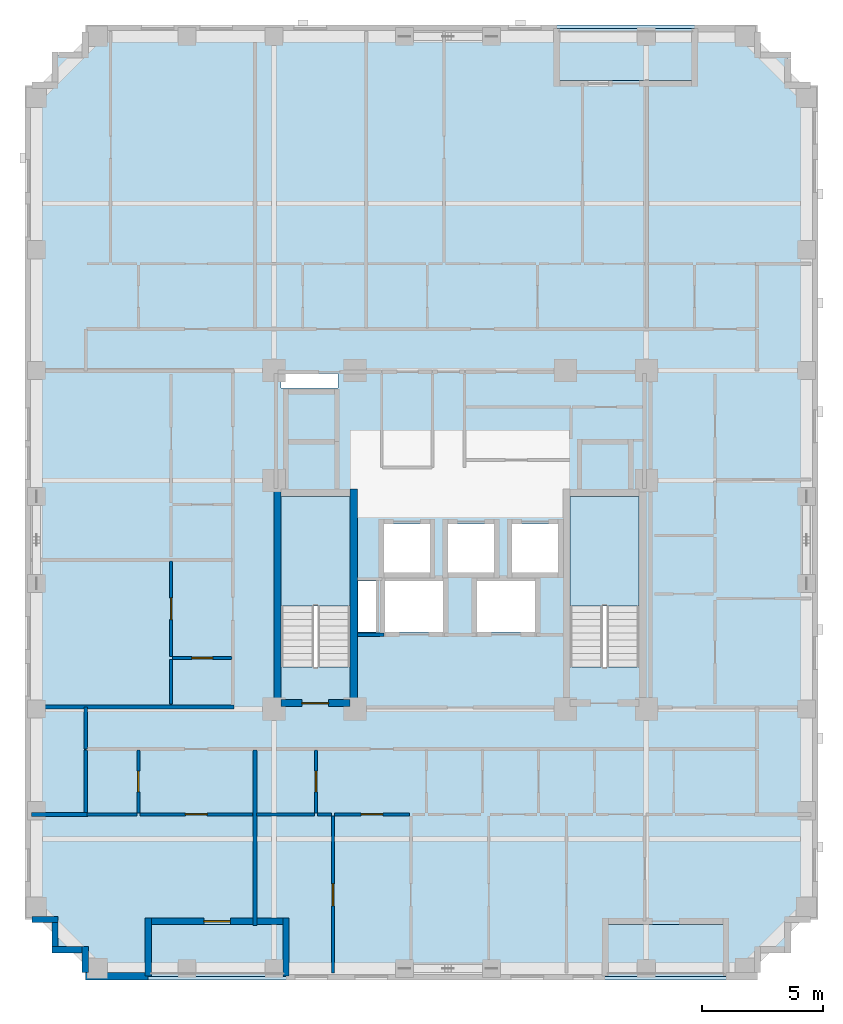
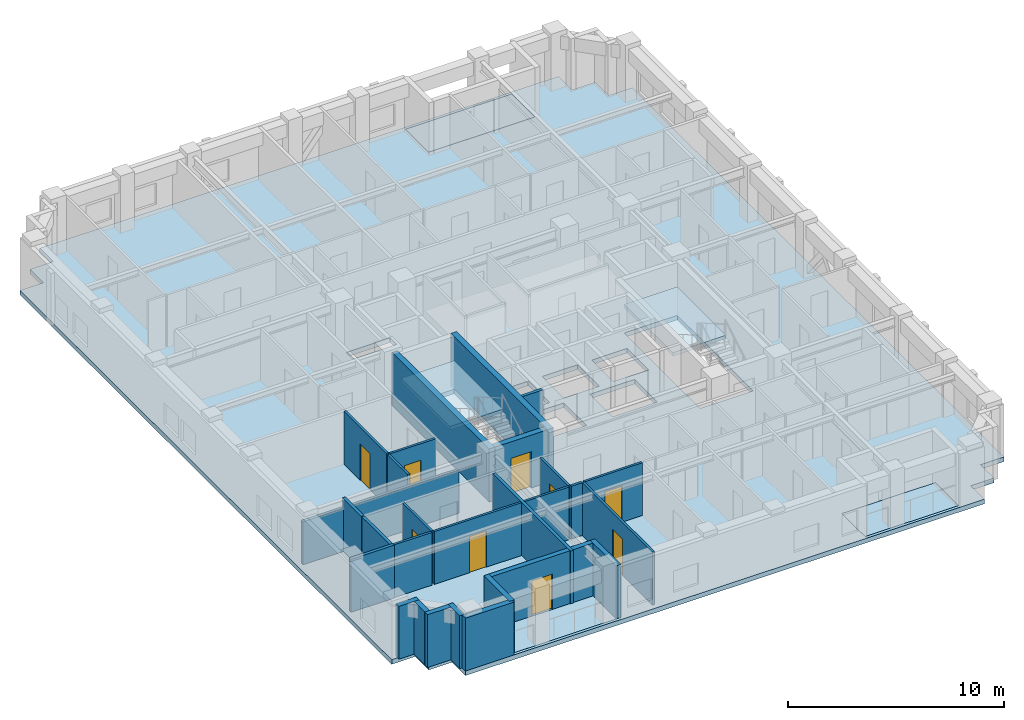
# One storey, part 2 of 11: 28 walls, 9 doors, 6 slabs, 9 openings, 2 elements without a shape of their own.
"""IFC4 building model written with IfcOpenShell, lengths in metres."""

from ifc_helpers import new_model, si_unit, derived_unit, direction, frame, frame_2d, origin, place, context, subcontext, project, spatial, polyline, rectangle, outline, extrude, material, layer, layer_set, type_object, element, fill, aggregate, save


model = new_model("IFC4")

# Units and contexts
model_context = context("Model", 3, precision=1e-05, world=origin(), true_north=direction((0.0, 1.0)))
body_context = subcontext(model_context, "Body", "Model", "MODEL_VIEW")
ifc_project = project(units=[si_unit("LENGTHUNIT", "METRE"), si_unit("AREAUNIT", "SQUARE_METRE"), si_unit("VOLUMEUNIT", "CUBIC_METRE"), si_unit("PLANEANGLEUNIT", "RADIAN"), si_unit("MASSUNIT", "GRAM", prefix="KILO"), derived_unit("THERMALTRANSMITTANCEUNIT", [(si_unit("MASSUNIT", "GRAM", prefix="KILO"), 1), (si_unit("TIMEUNIT", "SECOND"), -3), (si_unit("THERMODYNAMICTEMPERATUREUNIT", "KELVIN"), -1)])], contexts=[model_context])

# Site, building, storey
site_placement = place(None, origin())
site = spatial("IfcSite", under=ifc_project, at=site_placement, CompositionType="ELEMENT")
building_placement = place(site_placement, origin())
building = spatial("IfcBuilding", under=site, at=building_placement, Name="Korrvale Station Residences", CompositionType="ELEMENT")
storey_placement = place(building_placement, frame((0.0, 0.0, 140.64990234375)))
storey = spatial("IfcBuildingStorey", under=building, at=storey_placement, Name="L40", CompositionType="ELEMENT", Elevation=140.64990234375)

# Slabs
ifc_material_1 = material(Name="Concrete C50/60", Category="concrete")
ifc_layer_1 = layer(ifc_material_1, 0.219970703125, Name="Concrete C50/60")
ifc_layer_set_1 = layer_set([ifc_layer_1], Name="Concrete C50/60")
slab_type_1 = type_object("IfcSlabType", Name="SLB-BAL-220", PredefinedType="FLOOR", material=ifc_layer_set_1)
slab_1_placement = place(storey_placement, frame((0.0, 0.0, -0.219970703125)))
element("IfcSlab", 1, at=slab_1_placement, inside=storey, type_object=slab_type_1, Name="L40 Recessed Loggia Balcony Slab BAL-L40-S1", PredefinedType="FLOOR", context=body_context, shape_type="SweptSolid", body=[
    extrude(outline(polyline([(12.60009765625, 3.949951171875), (18.300048828125, 3.949951171875), (18.300048828125, 6.10009765625), (12.60009765625, 6.10009765625), (12.60009765625, 3.949951171875)])), origin(), (0.0, 0.0, 1.0), 0.219970703125),
])
slab_2_placement = place(storey_placement, frame((0.0, 0.0, -0.219970703125)))
element("IfcSlab", 2, at=slab_2_placement, inside=storey, type_object=slab_type_1, Name="L40 Recessed Loggia Balcony Slab BAL-L40-N1", PredefinedType="FLOOR", context=body_context, shape_type="SweptSolid", body=[
    extrude(outline(polyline([(29.5, 41.0), (35.199951171875, 41.0), (35.199951171875, 43.14990234375), (29.5, 43.14990234375), (29.5, 41.0)])), origin(), (0.0, 0.0, 1.0), 0.219970703125),
])
slab_3_placement = place(storey_placement, frame((0.0, 0.0, -0.219970703125)))
element("IfcSlab", 3, at=slab_3_placement, inside=storey, type_object=slab_type_1, Name="L40 Recessed Loggia Balcony Slab BAL-L40-S2", PredefinedType="FLOOR", context=body_context, shape_type="SweptSolid", body=[
    extrude(outline(polyline([(31.5, 3.949951171875), (36.5, 3.949951171875), (36.5, 6.10009765625), (31.5, 6.10009765625), (31.5, 3.949951171875)])), origin(), (0.0, 0.0, 1.0), 0.219970703125),
])
ifc_layer_2 = layer(ifc_material_1, 0.260009765625, Name="Concrete C50/60")
ifc_layer_set_2 = layer_set([ifc_layer_2], Name="Concrete C50/60")
slab_type_2 = type_object("IfcSlabType", Name="SLB-FLR-260", PredefinedType="FLOOR", material=ifc_layer_set_2)
slab_4_placement = place(storey_placement, frame((0.0, 0.0, -0.260009765625)))
element("IfcSlab", 4, at=slab_4_placement, inside=storey, type_object=slab_type_2, Name="L40 Suspended Structural Floor Slab", PredefinedType="FLOOR", context=body_context, shape_type="SweptSolid", body=[
    extrude(outline(polyline([(10.0, 3.800048828125), (37.800048828125, 3.800048828125), (37.800048828125, 5.050048828125), (39.050048828125, 5.050048828125), (39.050048828125, 6.300048828125), (40.300048828125, 6.300048828125), (40.300048828125, 40.800048828125), (39.050048828125, 40.800048828125), (39.050048828125, 42.050048828125), (37.800048828125, 42.050048828125), (37.800048828125, 43.300048828125), (10.0, 43.300048828125), (10.0, 42.050048828125), (8.75, 42.050048828125), (8.75, 40.800048828125), (7.5, 40.800048828125), (7.5, 6.300048828125), (8.75, 6.300048828125), (8.75, 5.050048828125), (10.0, 5.050048828125), (10.0, 3.800048828125)]), holes=[polyline([(20.949951171875, 16.751953125), (20.949951171875, 23.800048828125), (18.10009765625, 23.800048828125), (18.10009765625, 16.751953125), (20.949951171875, 16.751953125)]), polyline([(32.89990234375, 16.751953125), (32.89990234375, 23.800048828125), (30.050048828125, 23.800048828125), (30.050048828125, 16.751953125), (32.89990234375, 16.751953125)]), polyline([(22.35009765625, 20.64990234375), (24.25, 20.64990234375), (24.25, 22.64990234375), (22.35009765625, 22.64990234375), (22.35009765625, 20.64990234375)]), polyline([(25.0, 20.64990234375), (26.89990234375, 20.64990234375), (26.89990234375, 22.64990234375), (25.0, 22.64990234375), (25.0, 20.64990234375)]), polyline([(27.64990234375, 20.64990234375), (29.550048828125, 20.64990234375), (29.550048828125, 22.64990234375), (27.64990234375, 22.64990234375), (27.64990234375, 20.64990234375)]), polyline([(22.39990234375, 18.199951171875), (24.800048828125, 18.199951171875), (24.800048828125, 20.300048828125), (22.39990234375, 20.300048828125), (22.39990234375, 18.199951171875)]), polyline([(26.199951171875, 18.199951171875), (28.60009765625, 18.199951171875), (28.60009765625, 20.300048828125), (26.199951171875, 20.300048828125), (26.199951171875, 18.199951171875)]), polyline([(18.10009765625, 28.280029296875), (20.449951171875, 28.280029296875), (20.449951171875, 28.8798828125), (18.10009765625, 28.8798828125), (18.10009765625, 28.280029296875)]), polyline([(21.280029296875, 18.199951171875), (22.02001953125, 18.199951171875), (22.02001953125, 20.300048828125), (21.280029296875, 20.300048828125), (21.280029296875, 18.199951171875)]), polyline([(12.60009765625, 3.949951171875), (18.300048828125, 3.949951171875), (18.300048828125, 6.10009765625), (12.60009765625, 6.10009765625), (12.60009765625, 3.949951171875)]), polyline([(29.5, 41.0), (35.199951171875, 41.0), (35.199951171875, 43.14990234375), (29.5, 43.14990234375), (29.5, 41.0)]), polyline([(31.5, 3.949951171875), (36.5, 3.949951171875), (36.5, 6.10009765625), (31.5, 6.10009765625), (31.5, 3.949951171875)])]), origin(), (0.0, 0.0, 1.0), 0.260009765625),
])

# Stair, slab
stair_type = type_object("IfcStairType", Name="STR-DL-1350-20R-1625", PredefinedType="HALF_TURN_STAIR", material=ifc_material_1)
stair_1_placement = place(storey_placement, origin())
stair_1 = element("IfcStair", 5, at=stair_1_placement, inside=storey, type_object=stair_type, Name="L40 Exit Stair 1", PredefinedType="HALF_TURN_STAIR")
ifc_layer_3 = layer(ifc_material_1, 0.199951171875, Name="Concrete C50/60")
ifc_layer_set_3 = layer_set([ifc_layer_3], Name="Concrete C50/60")
slab_type_3 = type_object("IfcSlabType", Name="SLB-LND-200", PredefinedType="LANDING", material=ifc_layer_set_3)
slab_5_placement = place(storey_placement, frame((0.0, 0.0, 1.425048828125)))
slab_5 = element("IfcSlab", 6, at=slab_5_placement, type_object=slab_type_3, Name="ST-1 landing 1", PredefinedType="LANDING", context=body_context, shape_type="SweptSolid", body=[
    extrude(outline(polyline([(20.949951171875, 19.27001953125), (20.949951171875, 23.800048828125), (18.10009765625, 23.800048828125), (18.10009765625, 19.27001953125), (20.949951171875, 19.27001953125)])), origin(), (0.0, 0.0, 1.0), 0.199951171875),
])
aggregate(stair_1, [slab_5])

stair_2_placement = place(storey_placement, origin())
stair_2 = element("IfcStair", 7, at=stair_2_placement, inside=storey, type_object=stair_type, Name="L40 Exit Stair 2", PredefinedType="HALF_TURN_STAIR")
slab_6_placement = place(storey_placement, frame((0.0, 0.0, 1.425048828125)))
slab_6 = element("IfcSlab", 8, at=slab_6_placement, type_object=slab_type_3, Name="ST-2 landing 1", PredefinedType="LANDING", context=body_context, shape_type="SweptSolid", body=[
    extrude(outline(polyline([(32.89990234375, 19.27001953125), (32.89990234375, 23.800048828125), (30.050048828125, 23.800048828125), (30.050048828125, 19.27001953125), (32.89990234375, 19.27001953125)])), origin(), (0.0, 0.0, 1.0), 0.199951171875),
])
aggregate(stair_2, [slab_6])

# Walls
ifc_material_2 = material(Name="Concrete C60/75", Category="concrete")
ifc_layer_4 = layer(ifc_material_2, 0.300048828125, Name="Concrete C60/75")
ifc_layer_set_4 = layer_set([ifc_layer_4], Name="Concrete C60/75")
wall_type_1 = type_object("IfcWallType", Name="WAL-CORE-300-C60", PredefinedType="SHEAR", material=ifc_layer_set_4)
for number, where, z_axis, x_axis, name in (
    (9, (17.949951171875, 15.10009765625, 0.0), (0.0, 0.0, 1.0), (0.0, 1.0, 0.0), "L40 ST-1 Core Shear Wall West"),
    (10, (21.10009765625, 15.10009765625, 0.0), (0.0, 0.0, 1.0), (0.0, 1.0, 0.0), "L40 ST-1 Core Shear Wall East"),
):
    element("IfcWall", number, at=place(storey_placement, frame(where, z_axis=z_axis, x_axis=x_axis)), inside=storey, type_object=wall_type_1, Name=name, PredefinedType="SHEAR", context=body_context, shape_type="SweptSolid", body=[
        extrude(rectangle(XDim=9.0, YDim=0.300048828125, at=frame_2d((4.5, 0.0))), origin(), (0.0, 0.0, 1.0), 2.989990234375),
    ])

# Wall, opening, door
wall_1_placement = place(storey_placement, frame((18.10009765625, 15.25, 0.0), z_axis=(0.0, 0.0, 1.0), x_axis=(1.0, 0.0, 0.0)))
wall_1 = element("IfcWall", 11, at=wall_1_placement, inside=storey, type_object=wall_type_1, Name="L40 ST-1 Core Shear Wall South", PredefinedType="SHEAR", context=body_context, shape_type="SweptSolid", body=[
    extrude(rectangle(XDim=2.849853515625, YDim=0.300048828125, at=frame_2d((1.4248046875, 0.0))), origin(), (0.0, 0.0, 1.0), 2.989990234375),
])
opening_1_placement = place(wall_1_placement, frame((0.860107421875, 0.0, 0.0)))
opening_1 = element("IfcOpeningElement", 12, at=opening_1_placement, cuts=wall_1, Name="Opening SD-1100", PredefinedType="OPENING", context=body_context, shape_type="SweptSolid", body=[
    extrude(rectangle(XDim=1.10009765625, YDim=2.050048828125, at=frame_2d((0.550048828125, 1.02490234375))), frame((0.0, 0.16015625, 0.0), z_axis=(0.0, -1.0, 0.0), x_axis=(1.0, 0.0, 0.0)), (0.0, 0.0, 1.0), 0.320068359375),
])
ifc_material_3 = material(Name="Hollow-metal fire-rated stair door with closer", Category="steel")
door_type_1 = type_object("IfcDoorType", Name="DR-STAIR-1100", OperationType="NOTDEFINED", PredefinedType="DOOR", material=ifc_material_3)
door_1_placement = place(opening_1_placement, origin())
door_1 = element("IfcDoor", 13, at=door_1_placement, inside=storey, type_object=door_type_1, Name="L40 ST-1 Exit Stair Door", OperationType="SINGLE_SWING_LEFT", OverallHeight=2.050048828125, OverallWidth=1.10009765625, PredefinedType="DOOR", context=body_context, shape_type="SweptSolid", body=[
    extrude(rectangle(XDim=1.10009765625, YDim=2.050048828125, at=frame_2d((0.550048828125, 1.02490234375))), frame((0.0, 0.02490234375, 0.0), z_axis=(0.0, -1.0, 0.0), x_axis=(1.0, 0.0, 0.0)), (0.0, 0.0, 1.0), 0.050048828125),
])
fill(opening_1, door_1)

# Wall
ifc_material_4 = material(Name="Precast concrete C45/55", Category="concrete")
ifc_layer_5 = layer(ifc_material_4, 0.260009765625, Name="Precast concrete C45/55")
ifc_layer_set_5 = layer_set([ifc_layer_5], Name="Precast concrete C45/55")
wall_type_2 = type_object("IfcWallType", Name="WAL-EXT-LOG260", PredefinedType="SOLIDWALL", material=ifc_layer_set_5)
wall_2_placement = place(storey_placement, frame((18.300048828125, 3.9599609375, 0.0), z_axis=(0.0, 0.0, 1.0), x_axis=(0.0, 1.0, 0.0)))
element("IfcWall", 14, at=wall_2_placement, inside=storey, type_object=wall_type_2, Name="L40 Recessed Loggia Wall BAL-L40-S1-L", PredefinedType="SOLIDWALL", context=body_context, shape_type="SweptSolid", body=[
    extrude(rectangle(XDim=2.400146484375, YDim=0.260009765625, at=frame_2d((1.2001953125, 0.0))), origin(), (0.0, 0.0, 1.0), 2.989990234375),
])

# Wall, opening, door
wall_3_placement = place(storey_placement, frame((18.166015625, 6.22998046875, 0.0), z_axis=(0.0, 0.0, 1.0), x_axis=(-1.0, 0.0, 0.0)))
wall_3 = element("IfcWall", 15, at=wall_3_placement, inside=storey, type_object=wall_type_2, Name="L40 Recessed Loggia Wall BAL-L40-S1-B", PredefinedType="SOLIDWALL", context=body_context, shape_type="SweptSolid", body=[
    extrude(rectangle(XDim=5.43212890625, YDim=0.260009765625, at=frame_2d((2.716064453125, 0.0))), origin(), (0.0, 0.0, 1.0), 2.989990234375),
])
opening_2_placement = place(wall_3_placement, frame((2.166015625, 0.0, 0.0)))
opening_2 = element("IfcOpeningElement", 16, at=opening_2_placement, cuts=wall_3, Name="Opening BD-01", PredefinedType="OPENING", context=body_context, shape_type="SweptSolid", body=[
    extrude(rectangle(XDim=1.10009765625, YDim=2.0, at=frame_2d((0.550048828125, 1.0))), frame((0.0, 0.14013671875, 0.0), z_axis=(0.0, -1.0, 0.0), x_axis=(1.0, 0.0, 0.0)), (0.0, 0.0, 1.0), 0.280029296875),
])
ifc_material_5 = material(Name="Exterior thermally broken aluminium glazed balcony door", Category="aluminium")
door_type_2 = type_object("IfcDoorType", Name="DR-EXT-BAL", OperationType="NOTDEFINED", PredefinedType="DOOR", material=ifc_material_5)
door_2_placement = place(opening_2_placement, origin())
door_2 = element("IfcDoor", 17, at=door_2_placement, inside=storey, type_object=door_type_2, Name="L40 Loggia Balcony Door BAL-L40-S1", OperationType="SINGLE_SWING_LEFT", OverallHeight=2.0, OverallWidth=1.10009765625, PredefinedType="DOOR", context=body_context, shape_type="SweptSolid", body=[
    extrude(rectangle(XDim=1.10009765625, YDim=2.0, at=frame_2d((0.550048828125, 1.0))), frame((0.0, 0.02490234375, 0.0), z_axis=(0.0, -1.0, 0.0), x_axis=(1.0, 0.0, 0.0)), (0.0, 0.0, 1.0), 0.050048828125),
])
fill(opening_2, door_2)

# Walls
wall_4_placement = place(storey_placement, frame((12.60009765625, 6.360107421875, 0.0), z_axis=(0.0, 0.0, 1.0), x_axis=(0.0, -1.0, 0.0)))
element("IfcWall", 18, at=wall_4_placement, inside=storey, type_object=wall_type_2, Name="L40 Recessed Loggia Wall BAL-L40-S1-R", PredefinedType="SOLIDWALL", context=body_context, shape_type="SweptSolid", body=[
    extrude(rectangle(XDim=2.400146484375, YDim=0.260009765625, at=frame_2d((1.2001953125, 0.0))), origin(), (0.0, 0.0, 1.0), 2.989990234375),
])
wall_5_placement = place(storey_placement, frame((10.0, 4.10205078125, 0.0), z_axis=(0.0, 0.0, 1.0), x_axis=(0.0, 1.0, 0.0)))
element("IfcWall", 19, at=wall_5_placement, inside=storey, type_object=wall_type_2, Name="L40 Serrated Corner Precast Step SW-1", PredefinedType="SOLIDWALL", context=body_context, shape_type="SweptSolid", body=[
    extrude(rectangle(XDim=1.077880859375, YDim=0.260009765625, at=frame_2d((0.5390625, 0.0))), origin(), (0.0, 0.0, 1.0), 2.989990234375),
])
wall_6_placement = place(storey_placement, frame((9.867919921875, 5.050048828125, 0.0), z_axis=(0.0, 0.0, 1.0), x_axis=(-1.0, 0.0, 0.0)))
element("IfcWall", 20, at=wall_6_placement, inside=storey, type_object=wall_type_2, Name="L40 Serrated Corner Precast Step SW-2", PredefinedType="SOLIDWALL", context=body_context, shape_type="SweptSolid", body=[
    extrude(rectangle(XDim=1.247802734375, YDim=0.260009765625, at=frame_2d((0.6240234375, 0.0))), origin(), (0.0, 0.0, 1.0), 2.989990234375),
])
wall_7_placement = place(storey_placement, frame((8.75, 5.181884765625, 0.0), z_axis=(0.0, 0.0, 1.0), x_axis=(0.0, 1.0, 0.0)))
element("IfcWall", 21, at=wall_7_placement, inside=storey, type_object=wall_type_2, Name="L40 Serrated Corner Precast Step SW-3", PredefinedType="SOLIDWALL", context=body_context, shape_type="SweptSolid", body=[
    extrude(rectangle(XDim=0.986083984375, YDim=0.260009765625, at=frame_2d((0.4931640625, 0.0))), origin(), (0.0, 0.0, 1.0), 2.989990234375),
])
wall_8_placement = place(storey_placement, frame((8.8798828125, 6.300048828125, 0.0), z_axis=(0.0, 0.0, 1.0), x_axis=(-1.0, 0.0, 0.0)))
element("IfcWall", 22, at=wall_8_placement, inside=storey, type_object=wall_type_2, Name="L40 Serrated Corner Precast Step SW-4", PredefinedType="SOLIDWALL", context=body_context, shape_type="SweptSolid", body=[
    extrude(rectangle(XDim=1.077880859375, YDim=0.260009765625, at=frame_2d((0.5390625, 0.0))), origin(), (0.0, 0.0, 1.0), 2.989990234375),
])
ifc_layer_6 = layer(ifc_material_4, 0.300048828125, Name="Precast concrete C45/55")
ifc_layer_set_6 = layer_set([ifc_layer_6], Name="Precast concrete C45/55")
wall_type_3 = type_object("IfcWallType", Name="WAL-EXT-PC300", PredefinedType="SOLIDWALL", material=ifc_layer_set_6)
wall_9_placement = place(storey_placement, frame((12.60009765625, 3.949951171875, 0.0), z_axis=(0.0, 0.0, 1.0), x_axis=(-1.0, 0.0, 0.0)))
element("IfcWall", 23, at=wall_9_placement, inside=storey, type_object=wall_type_3, Name="L40 South Exterior Precast Wall 3", PredefinedType="SOLIDWALL", context=body_context, shape_type="SweptSolid", body=[
    extrude(rectangle(XDim=2.60009765625, YDim=0.300048828125, at=frame_2d((1.300048828125, 0.0))), origin(), (0.0, 0.0, 1.0), 2.989990234375),
])

# Wall, opening, door
ifc_material_6 = material(Name="Acoustic steel-stud gypsum board partition", Category="steel")
ifc_layer_7 = layer(ifc_material_6, 0.1201171875, Name="Acoustic steel-stud gypsum board partition")
ifc_layer_set_7 = layer_set([ifc_layer_7], Name="Acoustic steel-stud gypsum board partition")
wall_type_4 = type_object("IfcWallType", Name="WAL-PART-125", PredefinedType="PARTITIONING", material=ifc_layer_set_7)
wall_10_placement = place(storey_placement, frame((12.193115234375, 10.7099609375, 0.0), z_axis=(0.0, 0.0, 1.0), x_axis=(0.0, 1.0, 0.0)))
wall_10 = element("IfcWall", 24, at=wall_10_placement, inside=storey, type_object=wall_type_4, Name="L40 Suite Partition U01-V01", PredefinedType="PARTITIONING", context=body_context, shape_type="SweptSolid", body=[
    extrude(rectangle(XDim=2.60009765625, YDim=0.1201171875, at=frame_2d((1.300048828125, 0.0))), origin(), (0.0, 0.0, 1.0), 2.989990234375),
])
opening_3_placement = place(wall_10_placement, frame((0.8701171875, 0.0, 0.0)))
opening_3 = element("IfcOpeningElement", 25, at=opening_3_placement, cuts=wall_10, Name="Opening DB-860", PredefinedType="OPENING", context=body_context, shape_type="SweptSolid", body=[
    extrude(rectangle(XDim=0.860107421875, YDim=2.050048828125, at=frame_2d((0.43017578125, 1.02490234375))), frame((0.0, 0.070068359375, 0.0), z_axis=(0.0, -1.0, 0.0), x_axis=(1.0, 0.0, 0.0)), (0.0, 0.0, 1.0), 0.14013671875),
])
ifc_material_7 = material(Name="Moisture-resistant solid-core bathroom door", Category="timber")
door_type_3 = type_object("IfcDoorType", Name="DR-BATH-860", OperationType="NOTDEFINED", PredefinedType="DOOR", material=ifc_material_7)
door_3_placement = place(opening_3_placement, origin())
door_3 = element("IfcDoor", 26, at=door_3_placement, inside=storey, type_object=door_type_3, Name="L40 Studio Apartment L40-U01 Bathroom Door", OperationType="SINGLE_SWING_RIGHT", OverallHeight=2.050048828125, OverallWidth=0.860107421875, PredefinedType="DOOR", context=body_context, shape_type="SweptSolid", body=[
    extrude(rectangle(XDim=0.860107421875, YDim=2.050048828125, at=frame_2d((0.43017578125, 1.02490234375))), frame((0.0, 0.02490234375, 0.0), z_axis=(0.0, -1.0, 0.0), x_axis=(1.0, 0.0, 0.0)), (0.0, 0.0, 1.0), 0.050048828125),
])
fill(opening_3, door_3)

# Wall
wall_11_placement = place(storey_placement, frame((10.080078125, 10.64990234375, 0.0), z_axis=(0.0, 0.0, 1.0), x_axis=(1.0, 0.0, 0.0)))
element("IfcWall", 27, at=wall_11_placement, inside=storey, type_object=wall_type_4, Name="L40 Suite Partition U01-H02", PredefinedType="PARTITIONING", context=body_context, shape_type="SweptSolid", body=[
    extrude(rectangle(XDim=2.052978515625, YDim=0.1201171875, at=frame_2d((1.0263671875, 0.0))), origin(), (0.0, 0.0, 1.0), 2.989990234375),
])

# Wall, opening, door
wall_12_placement = place(storey_placement, frame((12.2529296875, 10.64990234375, 0.0), z_axis=(0.0, 0.0, 1.0), x_axis=(1.0, 0.0, 0.0)))
wall_12 = element("IfcWall", 28, at=wall_12_placement, inside=storey, type_object=wall_type_4, Name="L40 Suite Partition U01-H12", PredefinedType="PARTITIONING", context=body_context, shape_type="SweptSolid", body=[
    extrude(rectangle(XDim=4.671142578125, YDim=0.1201171875, at=frame_2d((2.33544921875, 0.0))), origin(), (0.0, 0.0, 1.0), 2.989990234375),
])
opening_4_placement = place(wall_12_placement, frame((1.885009765625, 0.0, 0.0)))
opening_4 = element("IfcOpeningElement", 29, at=opening_4_placement, cuts=wall_12, Name="Opening DI-900", PredefinedType="OPENING", context=body_context, shape_type="SweptSolid", body=[
    extrude(rectangle(XDim=0.89990234375, YDim=2.050048828125, at=frame_2d((0.449951171875, 1.02490234375))), frame((0.0, 0.070068359375, 0.0), z_axis=(0.0, -1.0, 0.0), x_axis=(1.0, 0.0, 0.0)), (0.0, 0.0, 1.0), 0.14013671875),
])
ifc_material_8 = material(Name="Painted solid-core timber interior room door", Category="wood")
door_type_4 = type_object("IfcDoorType", Name="DR-INT-900", OperationType="NOTDEFINED", PredefinedType="DOOR", material=ifc_material_8)
door_4_placement = place(opening_4_placement, origin())
door_4 = element("IfcDoor", 30, at=door_4_placement, inside=storey, type_object=door_type_4, Name="L40 Studio Apartment L40-U01 Kitchen Door", OperationType="SINGLE_SWING_LEFT", OverallHeight=2.050048828125, OverallWidth=0.89990234375, PredefinedType="DOOR", context=body_context, shape_type="SweptSolid", body=[
    extrude(rectangle(XDim=0.89990234375, YDim=2.050048828125, at=frame_2d((0.449951171875, 1.02490234375))), frame((0.0, 0.02490234375, 0.0), z_axis=(0.0, -1.0, 0.0), x_axis=(1.0, 0.0, 0.0)), (0.0, 0.0, 1.0), 0.050048828125),
])
fill(opening_4, door_4)

wall_13_placement = place(storey_placement, frame((19.5439453125, 10.7099609375, 0.0), z_axis=(0.0, 0.0, 1.0), x_axis=(0.0, 1.0, 0.0)))
wall_13 = element("IfcWall", 31, at=wall_13_placement, inside=storey, type_object=wall_type_4, Name="L40 Suite Partition U02-V01", PredefinedType="PARTITIONING", context=body_context, shape_type="SweptSolid", body=[
    extrude(rectangle(XDim=2.60009765625, YDim=0.1201171875, at=frame_2d((1.300048828125, 0.0))), origin(), (0.0, 0.0, 1.0), 2.989990234375),
])
opening_5_placement = place(wall_13_placement, frame((0.8701171875, 0.0, 0.0)))
opening_5 = element("IfcOpeningElement", 32, at=opening_5_placement, cuts=wall_13, Name="Opening DB-860", PredefinedType="OPENING", context=body_context, shape_type="SweptSolid", body=[
    extrude(rectangle(XDim=0.860107421875, YDim=2.050048828125, at=frame_2d((0.43017578125, 1.02490234375))), frame((0.0, 0.070068359375, 0.0), z_axis=(0.0, -1.0, 0.0), x_axis=(1.0, 0.0, 0.0)), (0.0, 0.0, 1.0), 0.14013671875),
])
door_5_placement = place(opening_5_placement, origin())
door_5 = element("IfcDoor", 33, at=door_5_placement, inside=storey, type_object=door_type_3, Name="L40 Studio Apartment L40-U02 Bathroom Door", OperationType="SINGLE_SWING_RIGHT", OverallHeight=2.050048828125, OverallWidth=0.860107421875, PredefinedType="DOOR", context=body_context, shape_type="SweptSolid", body=[
    extrude(rectangle(XDim=0.860107421875, YDim=2.050048828125, at=frame_2d((0.43017578125, 1.02490234375))), frame((0.0, 0.02490234375, 0.0), z_axis=(0.0, -1.0, 0.0), x_axis=(1.0, 0.0, 0.0)), (0.0, 0.0, 1.0), 0.050048828125),
])
fill(opening_5, door_5)

# Walls
wall_14_placement = place(storey_placement, frame((17.083984375, 10.64990234375, 0.0), z_axis=(0.0, 0.0, 1.0), x_axis=(1.0, 0.0, 0.0)))
element("IfcWall", 34, at=wall_14_placement, inside=storey, type_object=wall_type_4, Name="L40 Suite Partition U02-H07", PredefinedType="PARTITIONING", context=body_context, shape_type="SweptSolid", body=[
    extrude(rectangle(XDim=2.39990234375, YDim=0.1201171875, at=frame_2d((1.199951171875, 0.0))), origin(), (0.0, 0.0, 1.0), 2.989990234375),
])
wall_15_placement = place(storey_placement, frame((19.60400390625, 10.64990234375, 0.0), z_axis=(0.0, 0.0, 1.0), x_axis=(1.0, 0.0, 0.0)))
element("IfcWall", 35, at=wall_15_placement, inside=storey, type_object=wall_type_4, Name="L40 Suite Partition U02-H17", PredefinedType="PARTITIONING", context=body_context, shape_type="SweptSolid", body=[
    extrude(rectangle(XDim=0.580078125, YDim=0.1201171875, at=frame_2d((0.2900390625, 0.0))), origin(), (0.0, 0.0, 1.0), 2.989990234375),
])

# Wall, opening, door
wall_16_placement = place(storey_placement, frame((20.303955078125, 10.64990234375, 0.0), z_axis=(0.0, 0.0, 1.0), x_axis=(1.0, 0.0, 0.0)))
wall_16 = element("IfcWall", 36, at=wall_16_placement, inside=storey, type_object=wall_type_4, Name="L40 Suite Partition U02-H18", PredefinedType="PARTITIONING", context=body_context, shape_type="SweptSolid", body=[
    extrude(rectangle(XDim=3.10009765625, YDim=0.1201171875, at=frame_2d((1.550048828125, 0.0))), origin(), (0.0, 0.0, 1.0), 2.989990234375),
])
opening_6_placement = place(wall_16_placement, frame((1.10009765625, 0.0, 0.0)))
opening_6 = element("IfcOpeningElement", 37, at=opening_6_placement, cuts=wall_16, Name="Opening DI-900", PredefinedType="OPENING", context=body_context, shape_type="SweptSolid", body=[
    extrude(rectangle(XDim=0.89990234375, YDim=2.050048828125, at=frame_2d((0.449951171875, 1.02490234375))), frame((0.0, 0.070068359375, 0.0), z_axis=(0.0, -1.0, 0.0), x_axis=(1.0, 0.0, 0.0)), (0.0, 0.0, 1.0), 0.14013671875),
])
door_6_placement = place(opening_6_placement, origin())
door_6 = element("IfcDoor", 38, at=door_6_placement, inside=storey, type_object=door_type_4, Name="L40 Studio Apartment L40-U02 Kitchen Door", OperationType="SINGLE_SWING_RIGHT", OverallHeight=2.050048828125, OverallWidth=0.89990234375, PredefinedType="DOOR", context=body_context, shape_type="SweptSolid", body=[
    extrude(rectangle(XDim=0.89990234375, YDim=2.050048828125, at=frame_2d((0.449951171875, 1.02490234375))), frame((0.0, 0.02490234375, 0.0), z_axis=(0.0, -1.0, 0.0), x_axis=(1.0, 0.0, 0.0)), (0.0, 0.0, 1.0), 0.050048828125),
])
fill(opening_6, door_6)

wall_17_placement = place(storey_placement, frame((20.243896484375, 4.080078125, 0.0), z_axis=(0.0, 0.0, 1.0), x_axis=(0.0, 1.0, 0.0)))
wall_17 = element("IfcWall", 39, at=wall_17_placement, inside=storey, type_object=wall_type_4, Name="L40 Suite Partition U02-V78", PredefinedType="PARTITIONING", context=body_context, shape_type="SweptSolid", body=[
    extrude(rectangle(XDim=6.510009765625, YDim=0.1201171875, at=frame_2d((3.2548828125, 0.0))), origin(), (0.0, 0.0, 1.0), 2.989990234375),
])
opening_7_placement = place(wall_17_placement, frame((2.7900390625, 0.0, 0.0)))
opening_7 = element("IfcOpeningElement", 40, at=opening_7_placement, cuts=wall_17, Name="Opening DI-900", PredefinedType="OPENING", context=body_context, shape_type="SweptSolid", body=[
    extrude(rectangle(XDim=0.89990234375, YDim=2.050048828125, at=frame_2d((0.449951171875, 1.02490234375))), frame((0.0, 0.070068359375, 0.0), z_axis=(0.0, -1.0, 0.0), x_axis=(1.0, 0.0, 0.0)), (0.0, 0.0, 1.0), 0.14013671875),
])
door_7_placement = place(opening_7_placement, origin())
door_7 = element("IfcDoor", 41, at=door_7_placement, inside=storey, type_object=door_type_4, Name="L40 Studio Apartment L40-U02 Formal Dining Room Door", OperationType="SINGLE_SWING_LEFT", OverallHeight=2.050048828125, OverallWidth=0.89990234375, PredefinedType="DOOR", context=body_context, shape_type="SweptSolid", body=[
    extrude(rectangle(XDim=0.89990234375, YDim=2.050048828125, at=frame_2d((0.449951171875, 1.02490234375))), frame((0.0, 0.02490234375, 0.0), z_axis=(0.0, -1.0, 0.0), x_axis=(1.0, 0.0, 0.0)), (0.0, 0.0, 1.0), 0.050048828125),
])
fill(opening_7, door_7)

wall_18_placement = place(storey_placement, frame((13.610107421875, 17.1201171875, 0.0), z_axis=(0.0, 0.0, 1.0), x_axis=(1.0, 0.0, 0.0)))
wall_18 = element("IfcWall", 42, at=wall_18_placement, inside=storey, type_object=wall_type_4, Name="L40 Suite Partition U07-H01", PredefinedType="PARTITIONING", context=body_context, shape_type="SweptSolid", body=[
    extrude(rectangle(XDim=2.449951171875, YDim=0.1201171875, at=frame_2d((1.22509765625, 0.0))), origin(), (0.0, 0.0, 1.0), 2.989990234375),
])
opening_8_placement = place(wall_18_placement, frame((0.794921875, 0.0, 0.0)))
opening_8 = element("IfcOpeningElement", 43, at=opening_8_placement, cuts=wall_18, Name="Opening DB-860", PredefinedType="OPENING", context=body_context, shape_type="SweptSolid", body=[
    extrude(rectangle(XDim=0.860107421875, YDim=2.050048828125, at=frame_2d((0.43017578125, 1.02490234375))), frame((0.0, 0.070068359375, 0.0), z_axis=(0.0, -1.0, 0.0), x_axis=(1.0, 0.0, 0.0)), (0.0, 0.0, 1.0), 0.14013671875),
])
door_8_placement = place(opening_8_placement, origin())
door_8 = element("IfcDoor", 44, at=door_8_placement, inside=storey, type_object=door_type_3, Name="L40 Apartment 1BR L40-U07 Bathroom Door", OperationType="SINGLE_SWING_RIGHT", OverallHeight=2.050048828125, OverallWidth=0.860107421875, PredefinedType="DOOR", context=body_context, shape_type="SweptSolid", body=[
    extrude(rectangle(XDim=0.860107421875, YDim=2.050048828125, at=frame_2d((0.43017578125, 1.02490234375))), frame((0.0, 0.02490234375, 0.0), z_axis=(0.0, -1.0, 0.0), x_axis=(1.0, 0.0, 0.0)), (0.0, 0.0, 1.0), 0.050048828125),
])
fill(opening_8, door_8)

# Wall
wall_19_placement = place(storey_placement, frame((13.550048828125, 15.2099609375, 0.0), z_axis=(0.0, 0.0, 1.0), x_axis=(0.0, 1.0, 0.0)))
element("IfcWall", 45, at=wall_19_placement, inside=storey, type_object=wall_type_4, Name="L40 Suite Partition U07-V02", PredefinedType="PARTITIONING", context=body_context, shape_type="SweptSolid", body=[
    extrude(rectangle(XDim=1.85009765625, YDim=0.1201171875, at=frame_2d((0.925048828125, 0.0))), origin(), (0.0, 0.0, 1.0), 2.989990234375),
])

# Wall, opening, door
wall_20_placement = place(storey_placement, frame((13.550048828125, 17.179931640625, 0.0), z_axis=(0.0, 0.0, 1.0), x_axis=(0.0, 1.0, 0.0)))
wall_20 = element("IfcWall", 46, at=wall_20_placement, inside=storey, type_object=wall_type_4, Name="L40 Suite Partition U07-V12", PredefinedType="PARTITIONING", context=body_context, shape_type="SweptSolid", body=[
    extrude(rectangle(XDim=3.946044921875, YDim=0.1201171875, at=frame_2d((1.97314453125, 0.0))), origin(), (0.0, 0.0, 1.0), 2.989990234375),
])
opening_9_placement = place(wall_20_placement, frame((1.52294921875, 0.0, 0.0)))
opening_9 = element("IfcOpeningElement", 47, at=opening_9_placement, cuts=wall_20, Name="Opening DI-900", PredefinedType="OPENING", context=body_context, shape_type="SweptSolid", body=[
    extrude(rectangle(XDim=0.89990234375, YDim=2.050048828125, at=frame_2d((0.449951171875, 1.02490234375))), frame((0.0, 0.070068359375, 0.0), z_axis=(0.0, -1.0, 0.0), x_axis=(1.0, 0.0, 0.0)), (0.0, 0.0, 1.0), 0.14013671875),
])
door_9_placement = place(opening_9_placement, origin())
door_9 = element("IfcDoor", 48, at=door_9_placement, inside=storey, type_object=door_type_4, Name="L40 Apartment 1BR L40-U07 Kitchen Door", OperationType="SINGLE_SWING_LEFT", OverallHeight=2.050048828125, OverallWidth=0.89990234375, PredefinedType="DOOR", context=body_context, shape_type="SweptSolid", body=[
    extrude(rectangle(XDim=0.89990234375, YDim=2.050048828125, at=frame_2d((0.449951171875, 1.02490234375))), frame((0.0, 0.02490234375, 0.0), z_axis=(0.0, -1.0, 0.0), x_axis=(1.0, 0.0, 0.0)), (0.0, 0.0, 1.0), 0.050048828125),
])
fill(opening_9, door_9)

# Walls
ifc_material_9 = material(Name="Fire-rated twin-stud gypsum and mineral wool shaftwall assembly", Category="gypsum")
ifc_layer_8 = layer(ifc_material_9, 0.159912109375, Name="Fire-rated twin-stud gypsum and mineral wool shaftwall assembly")
ifc_layer_set_8 = layer_set([ifc_layer_8], Name="Fire-rated twin-stud gypsum and mineral wool shaftwall assembly")
wall_type_5 = type_object("IfcWallType", Name="WAL-PART-200", PredefinedType="PARTITIONING", material=ifc_layer_set_8)
wall_21_placement = place(storey_placement, frame((21.25, 18.080078125, 0.0), z_axis=(0.0, 0.0, 1.0), x_axis=(1.0, 0.0, 0.0)))
element("IfcWall", 49, at=wall_21_placement, inside=storey, type_object=wall_type_5, Name="L40 Core Partition CW-FFL-N1", PredefinedType="PARTITIONING", context=body_context, shape_type="SweptSolid", body=[
    extrude(rectangle(XDim=1.10009765625, YDim=0.159912109375, at=frame_2d((0.550048828125, 0.0))), origin(), (0.0, 0.0, 1.0), 2.989990234375),
])
wall_22_placement = place(storey_placement, frame((10.02001953125, 13.35009765625, 0.0), z_axis=(0.0, 0.0, 1.0), x_axis=(0.0, 1.0, 0.0)))
element("IfcWall", 50, at=wall_22_placement, inside=storey, type_object=wall_type_5, Name="L40 Corridor South West Cap", PredefinedType="PARTITIONING", context=body_context, shape_type="SweptSolid", body=[
    extrude(rectangle(XDim=1.739990234375, YDim=0.159912109375, at=frame_2d((0.8701171875, 0.0))), origin(), (0.0, 0.0, 1.0), 2.989990234375),
])
wall_23_placement = place(storey_placement, frame((7.780029296875, 15.090087890625, 0.0), z_axis=(0.0, 0.0, 1.0), x_axis=(1.0, 0.0, 0.0)))
element("IfcWall", 51, at=wall_23_placement, inside=storey, type_object=wall_type_5, Name="L40 West Wing South Corridor Wall", PredefinedType="PARTITIONING", context=body_context, shape_type="SweptSolid", body=[
    extrude(rectangle(XDim=8.35986328125, YDim=0.159912109375, at=frame_2d((4.179931640625, 0.0))), origin(), (0.0, 0.0, 1.0), 2.426025390625),
])
wall_24_placement = place(storey_placement, frame((7.780029296875, 10.64990234375, 0.0), z_axis=(0.0, 0.0, 1.0), x_axis=(1.0, 0.0, 0.0)))
element("IfcWall", 52, at=wall_24_placement, inside=storey, type_object=wall_type_5, Name="L40 Corner Step Wall U01-L", PredefinedType="PARTITIONING", context=body_context, shape_type="SweptSolid", body=[
    extrude(rectangle(XDim=2.340087890625, YDim=0.159912109375, at=frame_2d((1.169921875, 0.0))), origin(), (0.0, 0.0, 1.0), 2.989990234375),
])
wall_25_placement = place(storey_placement, frame((10.02001953125, 10.64990234375, 0.0), z_axis=(0.0, 0.0, 1.0), x_axis=(0.0, 1.0, 0.0)))
element("IfcWall", 53, at=wall_25_placement, inside=storey, type_object=wall_type_5, Name="L40 Corner Step Cheek U01-L", PredefinedType="PARTITIONING", context=body_context, shape_type="SweptSolid", body=[
    extrude(rectangle(XDim=2.66015625, YDim=0.159912109375, at=frame_2d((1.330078125, 0.0))), origin(), (0.0, 0.0, 1.0), 2.989990234375),
])
wall_26_placement = place(storey_placement, frame((17.02392578125, 6.06005859375, 0.0), z_axis=(0.0, 0.0, 1.0), x_axis=(0.0, 1.0, 0.0)))
element("IfcWall", 54, at=wall_26_placement, inside=storey, type_object=wall_type_5, Name="L40 Demising Wall U02-W", PredefinedType="PARTITIONING", context=body_context, shape_type="SweptSolid", body=[
    extrude(rectangle(XDim=7.25, YDim=0.159912109375, at=frame_2d((3.625, 0.0))), origin(), (0.0, 0.0, 1.0), 2.989990234375),
])

save(model, "model.ifc")
